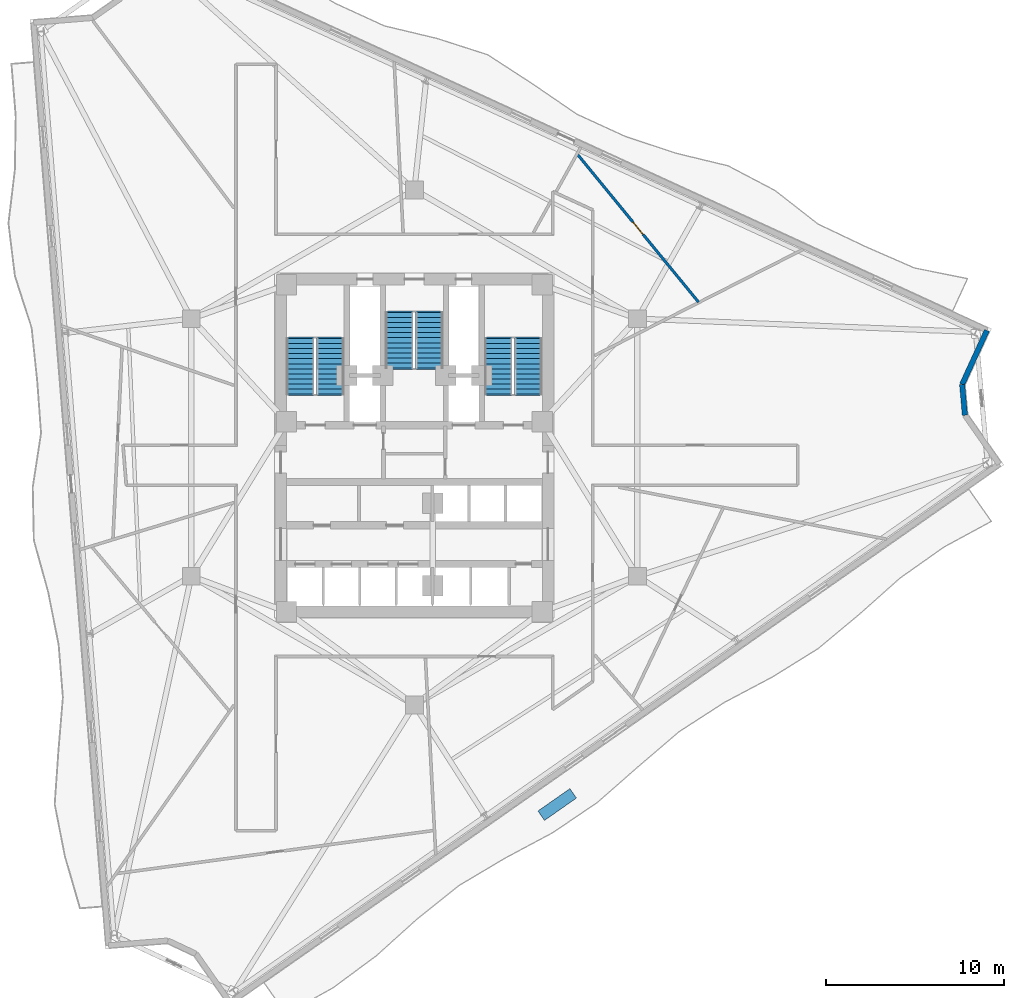
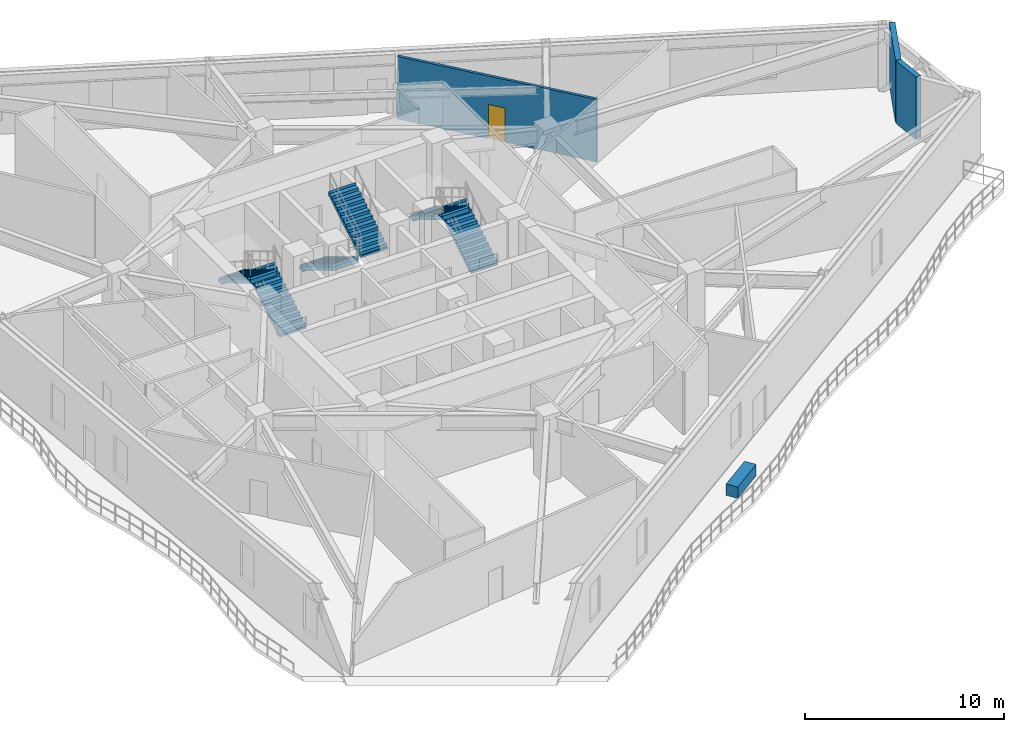
# One storey, part 10 of 14: 6 stair flights, 3 walls, 1 discrete accessory, 1 door, 1 opening, 3 elements without a shape of their own.
"""IFC4 building model written with IfcOpenShell, lengths in metres."""

from ifc_helpers import new_model, si_unit, direction, frame, frame_2d, origin, origin_2d, place, context, subcontext, project, spatial, polyline, rectangle, outline, extrude, material, layer, layer_set, type_object, element, fill, aggregate, save


model = new_model("IFC4")

# Units and contexts
model_context = context("Model", 3, precision=1e-05, world=origin(), true_north=direction((0.0, 1.0)))
body_context = subcontext(model_context, "Body", "Model", "MODEL_VIEW")
ifc_project = project(units=[si_unit("LENGTHUNIT", "METRE"), si_unit("AREAUNIT", "SQUARE_METRE"), si_unit("VOLUMEUNIT", "CUBIC_METRE"), si_unit("PLANEANGLEUNIT", "RADIAN"), si_unit("MASSUNIT", "GRAM", prefix="KILO")], contexts=[model_context])

# Site, building, storey
site_placement = place(None, origin())
site = spatial("IfcSite", under=ifc_project, at=site_placement, CompositionType="ELEMENT")
building_placement = place(site_placement, origin())
building = spatial("IfcBuilding", under=site, at=building_placement, Name="Apsidion Concourse Tower", CompositionType="ELEMENT")
storey_placement = place(building_placement, frame((0.0, 0.0, 194.199951171875)))
storey = spatial("IfcBuildingStorey", under=building, at=storey_placement, Name="L45", CompositionType="ELEMENT", Elevation=194.199951171875)

# Walls
ifc_material_1 = material(Name="Precast concrete C40/50", Category="concrete")
ifc_layer_1 = layer(ifc_material_1, 0.300048828125)
ifc_layer_set_1 = layer_set([ifc_layer_1], Name="Precast concrete C40/50")
wall_type_1 = type_object("IfcWallType", Name="WL-EXT-300", PredefinedType="STANDARD", material=ifc_layer_set_1)
wall_1_placement = place(storey_placement, frame((32.237060546875, 6.58740234375, 0.0), z_axis=(0.0, 0.0, 1.0), x_axis=(-0.416956203263, -0.908926578201, 0.0)))
element("IfcWall", 1, at=wall_1_placement, inside=storey, type_object=wall_type_1, Name="L45 Precast Stone Facade Wall 02", PredefinedType="STANDARD", context=body_context, shape_type="SweptSolid", body=[
    extrude(rectangle(XDim=3.345703125, YDim=0.300048828125, at=frame_2d((1.6728515625, 0.0))), origin(), (0.0, 0.0, 1.0), 3.85009765625),
])
wall_2_placement = place(storey_placement, frame((30.842041015625, 3.54638671875, 0.0), z_axis=(0.0, 0.0, 1.0), x_axis=(0.09030850916, -0.995913838228, 0.0)))
element("IfcWall", 2, at=wall_2_placement, inside=storey, type_object=wall_type_1, Name="L45 Precast Stone Facade Wall 03", PredefinedType="STANDARD", context=body_context, shape_type="SweptSolid", body=[
    extrude(rectangle(XDim=1.74365234375, YDim=0.300048828125, at=frame_2d((0.871826171875, 0.0))), origin(), (0.0, 0.0, 1.0), 3.85009765625),
])

# Wall, opening, door
ifc_material_2 = material(Name="Gypsum plasterboard partition")
ifc_layer_2 = layer(ifc_material_2, 0.14990234375)
ifc_layer_set_2 = layer_set([ifc_layer_2], Name="Gypsum plasterboard partition")
wall_type_2 = type_object("IfcWallType", Name="WL-INT-PAR-150", PredefinedType="PARTITIONING", material=ifc_layer_set_2)
wall_3_placement = place(storey_placement, frame((15.9990234375, 8.179931640625, 0.0), z_axis=(0.0, 0.0, 1.0), x_axis=(-0.633723091154, 0.773559980698, 0.0)))
wall_3 = element("IfcWall", 3, at=wall_3_placement, inside=storey, type_object=wall_type_2, Name="L45 Interior Partition WL-L45-CHD-OFS05", PredefinedType="PARTITIONING", context=body_context, shape_type="SweptSolid", body=[
    extrude(rectangle(XDim=10.763427734375, YDim=0.14990234375, at=frame_2d((5.3818359375, 0.0))), origin(), (0.0, 0.0, 1.0), 3.85009765625),
])
opening_placement = place(wall_3_placement, frame((4.931640625, 0.0, 0.0)))
opening = element("IfcOpeningElement", 4, at=opening_placement, cuts=wall_3, Name="Opening D-02R", PredefinedType="OPENING", context=body_context, shape_type="SweptSolid", body=[
    extrude(rectangle(XDim=0.89990234375, YDim=2.10009765625, at=frame_2d((0.449951171875, 1.050048828125))), frame((0.0, 0.0849609375, 0.0), z_axis=(0.0, -1.0, 0.0), x_axis=(1.0, 0.0, 0.0)), (0.0, 0.0, 1.0), 0.169921875),
])
ifc_material_3 = material(Name="Anodised aluminium EN AW-6063 T6", Category="aluminium")
door_type = type_object("IfcDoorType", Name="DR-INT-D02R", OperationType="SINGLE_SWING_RIGHT", PredefinedType="DOOR", material=ifc_material_3)
door_placement = place(opening_placement, origin())
door = element("IfcDoor", 5, at=door_placement, inside=storey, type_object=door_type, Name="L45 Suite Connecting Door OFS05", OperationType="SINGLE_SWING_RIGHT", OverallHeight=2.10009765625, OverallWidth=0.89990234375, PredefinedType="DOOR", context=body_context, shape_type="SweptSolid", body=[
    extrude(rectangle(XDim=0.89990234375, YDim=2.10009765625, at=frame_2d((0.449951171875, 1.050048828125))), frame((0.0, 0.02490234375, 0.0), z_axis=(0.0, -1.0, 0.0), x_axis=(1.0, 0.0, 0.0)), (0.0, 0.0, 1.0), 0.050048828125),
])
fill(opening, door)

# Stair, stair flights
stair_type = type_object("IfcStairType", Name="ST-DL-1550", PredefinedType="HALF_TURN_STAIR", material=ifc_material_1)
stair_1_placement = place(storey_placement, origin())
stair_1 = element("IfcStair", 6, at=stair_1_placement, inside=storey, type_object=stair_type, Name="L45 Protected Core Exit Stair ST1", PredefinedType="HALF_TURN_STAIR")
stair_flight_type = type_object("IfcStairFlightType", Name="SFL-RC-1550", PredefinedType="STRAIGHT", material=ifc_material_1)
stair_flight_1_placement = place(storey_placement, frame((-4.72509765625, 3.0, 0.0), z_axis=(0.0, 0.0, 1.0), x_axis=(0.0, 1.0, 0.0)))
stair_flight_1 = element("IfcStairFlight", 7, at=stair_flight_1_placement, type_object=stair_flight_type, Name="ST1 flight 1", NumberOfRisers=12, NumberOfTreads=11, PredefinedType="STRAIGHT", RiserHeight=0.170833333, TreadLength=0.285, context=body_context, shape_type="SweptSolid", body=[
    extrude(outline(polyline([(-0.080078125, -0.1123046875), (-0.080078125, 0.0), (0.0, 0.0), (0.0, 0.1708984375), (0.284912109375, 0.1708984375), (0.284912109375, 0.341552734375), (0.570068359375, 0.341552734375), (0.570068359375, 0.512451171875), (0.85498046875, 0.512451171875), (0.85498046875, 0.683349609375), (1.139892578125, 0.683349609375), (1.139892578125, 0.854248046875), (1.425048828125, 0.854248046875), (1.425048828125, 1.02490234375), (1.7099609375, 1.02490234375), (1.7099609375, 1.19580078125), (1.9951171875, 1.19580078125), (1.9951171875, 1.36669921875), (2.280029296875, 1.36669921875), (2.280029296875, 1.53759765625), (2.56494140625, 1.53759765625), (2.56494140625, 1.708251953125), (2.85009765625, 1.708251953125), (2.85009765625, 1.879150390625), (3.135009765625, 1.879150390625), (3.135009765625, 2.050048828125), (3.215087890625, 1.964599609375), (3.215087890625, 1.704345703125), (3.135009765625, 1.704345703125), (0.29150390625, 0.0), (0.29150390625, -0.1123046875), (-0.080078125, -0.1123046875)])), frame((0.0, 0.77490234375, 0.0), z_axis=(0.0, -1.0, 0.0), x_axis=(1.0, 0.0, 0.0)), (0.0, 0.0, 1.0), 1.550048828125),
])
stair_flight_2_placement = place(storey_placement, frame((-6.425048828125, 6.135009765625, 2.050048828125), z_axis=(0.0, 0.0, 1.0), x_axis=(0.0, -1.0, 0.0)))
stair_flight_2 = element("IfcStairFlight", 8, at=stair_flight_2_placement, type_object=stair_flight_type, Name="ST1 flight 2", NumberOfRisers=12, NumberOfTreads=11, PredefinedType="STRAIGHT", RiserHeight=0.170833333, TreadLength=0.285, context=body_context, shape_type="SweptSolid", body=[
    extrude(outline(polyline([(-0.080078125, -0.1123046875), (-0.080078125, 0.0), (0.0, 0.0), (0.0, 0.1708984375), (0.284912109375, 0.1708984375), (0.284912109375, 0.341552734375), (0.570068359375, 0.341552734375), (0.570068359375, 0.512451171875), (0.85498046875, 0.512451171875), (0.85498046875, 0.683349609375), (1.139892578125, 0.683349609375), (1.139892578125, 0.854248046875), (1.425048828125, 0.854248046875), (1.425048828125, 1.02490234375), (1.7099609375, 1.02490234375), (1.7099609375, 1.19580078125), (1.9951171875, 1.19580078125), (1.9951171875, 1.36669921875), (2.280029296875, 1.36669921875), (2.280029296875, 1.53759765625), (2.56494140625, 1.53759765625), (2.56494140625, 1.708251953125), (2.85009765625, 1.708251953125), (2.85009765625, 1.879150390625), (3.135009765625, 1.879150390625), (3.135009765625, 2.050048828125), (3.215087890625, 1.964599609375), (3.215087890625, 1.704345703125), (3.135009765625, 1.704345703125), (0.29150390625, 0.0), (0.29150390625, -0.1123046875), (-0.080078125, -0.1123046875)])), frame((0.0, 0.77490234375, 0.0), z_axis=(0.0, -1.0, 0.0), x_axis=(1.0, 0.0, 0.0)), (0.0, 0.0, 1.0), 1.550048828125),
])
aggregate(stair_1, [stair_flight_1, stair_flight_2])

stair_2_placement = place(storey_placement, origin())
stair_2 = element("IfcStair", 9, at=stair_2_placement, inside=storey, type_object=stair_type, Name="L45 Protected Core Exit Stair ST2", PredefinedType="HALF_TURN_STAIR")
stair_flight_3_placement = place(storey_placement, frame((6.425048828125, 3.0, 0.0), z_axis=(0.0, 0.0, 1.0), x_axis=(0.0, 1.0, 0.0)))
stair_flight_3 = element("IfcStairFlight", 10, at=stair_flight_3_placement, type_object=stair_flight_type, Name="ST2 flight 1", NumberOfRisers=12, NumberOfTreads=11, PredefinedType="STRAIGHT", RiserHeight=0.170833333, TreadLength=0.285, context=body_context, shape_type="SweptSolid", body=[
    extrude(outline(polyline([(-0.080078125, -0.1123046875), (-0.080078125, 0.0), (0.0, 0.0), (0.0, 0.1708984375), (0.284912109375, 0.1708984375), (0.284912109375, 0.341552734375), (0.570068359375, 0.341552734375), (0.570068359375, 0.512451171875), (0.85498046875, 0.512451171875), (0.85498046875, 0.683349609375), (1.139892578125, 0.683349609375), (1.139892578125, 0.854248046875), (1.425048828125, 0.854248046875), (1.425048828125, 1.02490234375), (1.7099609375, 1.02490234375), (1.7099609375, 1.19580078125), (1.9951171875, 1.19580078125), (1.9951171875, 1.36669921875), (2.280029296875, 1.36669921875), (2.280029296875, 1.53759765625), (2.56494140625, 1.53759765625), (2.56494140625, 1.708251953125), (2.85009765625, 1.708251953125), (2.85009765625, 1.879150390625), (3.135009765625, 1.879150390625), (3.135009765625, 2.050048828125), (3.215087890625, 1.964599609375), (3.215087890625, 1.704345703125), (3.135009765625, 1.704345703125), (0.29150390625, 0.0), (0.29150390625, -0.1123046875), (-0.080078125, -0.1123046875)])), frame((0.0, 0.77490234375, 0.0), z_axis=(0.0, -1.0, 0.0), x_axis=(1.0, 0.0, 0.0)), (0.0, 0.0, 1.0), 1.550048828125),
])
stair_flight_4_placement = place(storey_placement, frame((4.72509765625, 6.135009765625, 2.050048828125), z_axis=(0.0, 0.0, 1.0), x_axis=(0.0, -1.0, 0.0)))
stair_flight_4 = element("IfcStairFlight", 11, at=stair_flight_4_placement, type_object=stair_flight_type, Name="ST2 flight 2", NumberOfRisers=12, NumberOfTreads=11, PredefinedType="STRAIGHT", RiserHeight=0.170833333, TreadLength=0.285, context=body_context, shape_type="SweptSolid", body=[
    extrude(outline(polyline([(-0.080078125, -0.1123046875), (-0.080078125, 0.0), (0.0, 0.0), (0.0, 0.1708984375), (0.284912109375, 0.1708984375), (0.284912109375, 0.341552734375), (0.570068359375, 0.341552734375), (0.570068359375, 0.512451171875), (0.85498046875, 0.512451171875), (0.85498046875, 0.683349609375), (1.139892578125, 0.683349609375), (1.139892578125, 0.854248046875), (1.425048828125, 0.854248046875), (1.425048828125, 1.02490234375), (1.7099609375, 1.02490234375), (1.7099609375, 1.19580078125), (1.9951171875, 1.19580078125), (1.9951171875, 1.36669921875), (2.280029296875, 1.36669921875), (2.280029296875, 1.53759765625), (2.56494140625, 1.53759765625), (2.56494140625, 1.708251953125), (2.85009765625, 1.708251953125), (2.85009765625, 1.879150390625), (3.135009765625, 1.879150390625), (3.135009765625, 2.050048828125), (3.215087890625, 1.964599609375), (3.215087890625, 1.704345703125), (3.135009765625, 1.704345703125), (0.29150390625, 0.0), (0.29150390625, -0.1123046875), (-0.080078125, -0.1123046875)])), frame((0.0, 0.77490234375, 0.0), z_axis=(0.0, -1.0, 0.0), x_axis=(1.0, 0.0, 0.0)), (0.0, 0.0, 1.0), 1.550048828125),
])
aggregate(stair_2, [stair_flight_3, stair_flight_4])

stair_3_placement = place(storey_placement, origin())
stair_3 = element("IfcStair", 12, at=stair_3_placement, inside=storey, type_object=stair_type, Name="L45 Protected Core Exit Stair ST3", PredefinedType="HALF_TURN_STAIR")
stair_flight_5_placement = place(storey_placement, frame((-0.85009765625, 7.60009765625, 0.0), z_axis=(0.0, 0.0, 1.0), x_axis=(0.0, -1.0, 0.0)))
stair_flight_5 = element("IfcStairFlight", 13, at=stair_flight_5_placement, type_object=stair_flight_type, Name="ST3 flight 1", NumberOfRisers=12, NumberOfTreads=11, PredefinedType="STRAIGHT", RiserHeight=0.170833333, TreadLength=0.285, context=body_context, shape_type="SweptSolid", body=[
    extrude(outline(polyline([(-0.080078125, -0.1123046875), (-0.080078125, 0.0), (0.0, 0.0), (0.0, 0.1708984375), (0.284912109375, 0.1708984375), (0.284912109375, 0.341552734375), (0.570068359375, 0.341552734375), (0.570068359375, 0.512451171875), (0.85498046875, 0.512451171875), (0.85498046875, 0.683349609375), (1.139892578125, 0.683349609375), (1.139892578125, 0.854248046875), (1.425048828125, 0.854248046875), (1.425048828125, 1.02490234375), (1.7099609375, 1.02490234375), (1.7099609375, 1.19580078125), (1.9951171875, 1.19580078125), (1.9951171875, 1.36669921875), (2.280029296875, 1.36669921875), (2.280029296875, 1.53759765625), (2.56494140625, 1.53759765625), (2.56494140625, 1.708251953125), (2.85009765625, 1.708251953125), (2.85009765625, 1.879150390625), (3.135009765625, 1.879150390625), (3.135009765625, 2.050048828125), (3.215087890625, 1.964599609375), (3.215087890625, 1.704345703125), (3.135009765625, 1.704345703125), (0.29150390625, 0.0), (0.29150390625, -0.1123046875), (-0.080078125, -0.1123046875)])), frame((0.0, 0.77490234375, 0.0), z_axis=(0.0, -1.0, 0.0), x_axis=(1.0, 0.0, 0.0)), (0.0, 0.0, 1.0), 1.550048828125),
])
stair_flight_6_placement = place(storey_placement, frame((0.85009765625, 4.465087890625, 2.050048828125), z_axis=(0.0, 0.0, 1.0), x_axis=(0.0, 1.0, 0.0)))
stair_flight_6 = element("IfcStairFlight", 14, at=stair_flight_6_placement, type_object=stair_flight_type, Name="ST3 flight 2", NumberOfRisers=12, NumberOfTreads=11, PredefinedType="STRAIGHT", RiserHeight=0.170833333, TreadLength=0.285, context=body_context, shape_type="SweptSolid", body=[
    extrude(outline(polyline([(-0.080078125, -0.1123046875), (-0.080078125, 0.0), (0.0, 0.0), (0.0, 0.1708984375), (0.284912109375, 0.1708984375), (0.284912109375, 0.341552734375), (0.570068359375, 0.341552734375), (0.570068359375, 0.512451171875), (0.85498046875, 0.512451171875), (0.85498046875, 0.683349609375), (1.139892578125, 0.683349609375), (1.139892578125, 0.854248046875), (1.425048828125, 0.854248046875), (1.425048828125, 1.02490234375), (1.7099609375, 1.02490234375), (1.7099609375, 1.19580078125), (1.9951171875, 1.19580078125), (1.9951171875, 1.36669921875), (2.280029296875, 1.36669921875), (2.280029296875, 1.53759765625), (2.56494140625, 1.53759765625), (2.56494140625, 1.708251953125), (2.85009765625, 1.708251953125), (2.85009765625, 1.879150390625), (3.135009765625, 1.879150390625), (3.135009765625, 2.050048828125), (3.215087890625, 1.964599609375), (3.215087890625, 1.704345703125), (3.135009765625, 1.704345703125), (0.29150390625, 0.0), (0.29150390625, -0.1123046875), (-0.080078125, -0.1123046875)])), frame((0.0, 0.77490234375, 0.0), z_axis=(0.0, -1.0, 0.0), x_axis=(1.0, 0.0, 0.0)), (0.0, 0.0, 1.0), 1.550048828125),
])
aggregate(stair_3, [stair_flight_5, stair_flight_6])

# Discrete accessory
discrete_accessory_type = type_object("IfcDiscreteAccessoryType", Name="ACC-PLANTER-90", PredefinedType="USERDEFINED", material=ifc_material_1)
discrete_accessory_placement = place(storey_placement, frame((8.04052734375, -20.107177734375, 0.0), z_axis=(0.0, 0.0, 1.0), x_axis=(0.819152044289, 0.573576436351, 0.0)))
element("IfcDiscreteAccessory", 15, at=discrete_accessory_placement, inside=storey, type_object=discrete_accessory_type, Name="L45 Spiral Sky-Terrace Planter 2", ObjectType="PLANTER", PredefinedType="USERDEFINED", context=body_context, shape_type="SweptSolid", body=[
    extrude(rectangle(XDim=2.199951171875, YDim=0.64990234375, at=origin_2d()), origin(), (0.0, 0.0, 1.0), 0.699951171875),
])

save(model, "model.ifc")
